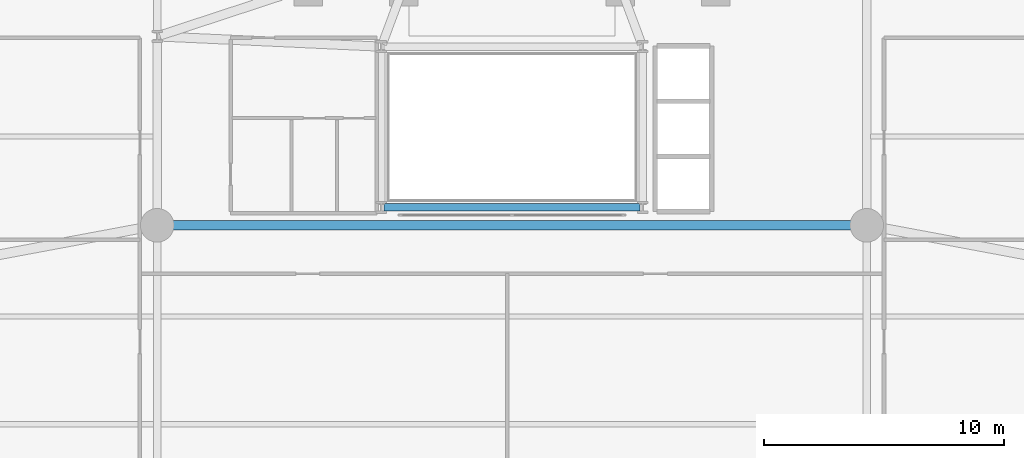
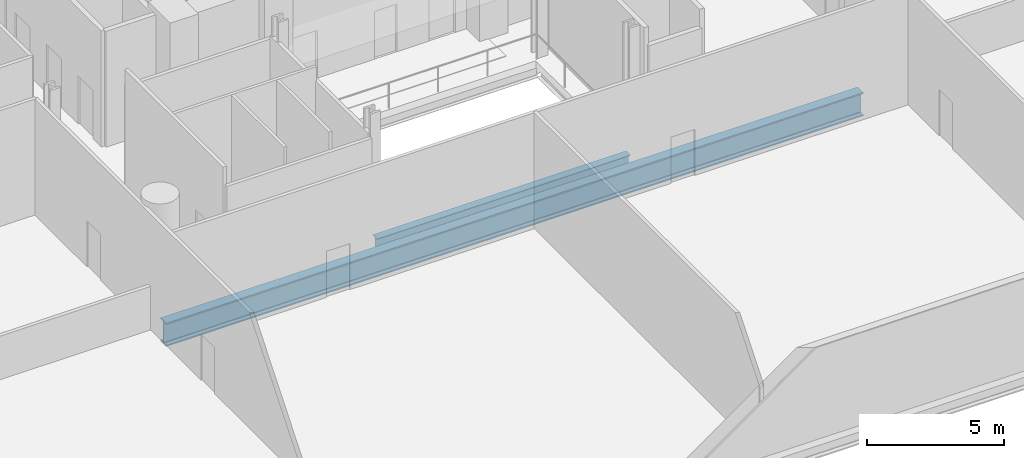
# One storey, part 11 of 31: 2 beams.
"""IFC4 building model written with IfcOpenShell, lengths in metres."""

from ifc_helpers import new_model, si_unit, direction, frame, origin, origin_2d, place, context, subcontext, project, spatial, i_section, extrude, material, material_profile, profile_set, type_object, element, save


model = new_model("IFC4")

# Units and contexts
model_context = context("Model", 3, precision=1e-05, world=origin(), true_north=direction((0.0, 1.0)))
body_context = subcontext(model_context, "Body", "Model", "MODEL_VIEW")
ifc_project = project(units=[si_unit("LENGTHUNIT", "METRE"), si_unit("AREAUNIT", "SQUARE_METRE"), si_unit("VOLUMEUNIT", "CUBIC_METRE"), si_unit("PLANEANGLEUNIT", "RADIAN"), si_unit("MASSUNIT", "GRAM", prefix="KILO")], contexts=[model_context])

# Site, building, storey
site_placement = place(None, origin())
site = spatial("IfcSite", under=ifc_project, at=site_placement, CompositionType="ELEMENT")
building_placement = place(site_placement, origin())
building = spatial("IfcBuilding", under=site, at=building_placement, Name="Varnelok Gate Tower", CompositionType="ELEMENT")
storey_placement = place(building_placement, frame((0.0, 0.0, 21.60009765625)))
storey = spatial("IfcBuildingStorey", under=building, at=storey_placement, Name="L04", CompositionType="ELEMENT", Elevation=21.60009765625)

# Beams
ifc_material = material(Name="Structural Steel ASTM A992 Grade 50", Category="steel")
ifc_material_profile_1 = material_profile(ifc_material, i_section(OverallWidth=0.323974609375, OverallDepth=0.611083984375, WebThickness=0.0126953125, FlangeThickness=0.01904296875, FilletRadius=0.01806640625, at=origin_2d()), Name="W24X104")
ifc_profile_set_1 = profile_set([ifc_material_profile_1], Name="Structural Steel ASTM A992 Grade 50")
beam_type_1 = type_object("IfcBeamType", Name="BM-SPN-W24X104", PredefinedType="SPANDREL", material=ifc_profile_set_1)
beam_1_placement = place(storey_placement, frame((33.8701171875, 19.550048828125, -0.62548828125), z_axis=(1.0, 0.0, 0.0), x_axis=(0.0, 1.0, 0.0)))
element("IfcBeam", 1, at=beam_1_placement, inside=storey, type_object=beam_type_1, Name="L04 Core-Atrium Spine Beam 8", PredefinedType="SPANDREL", context=body_context, shape_type="SweptSolid", body=[
    extrude(i_section(OverallWidth=0.323974609375, OverallDepth=0.611083984375, WebThickness=0.0126953125, FlangeThickness=0.01904296875, FilletRadius=0.01806640625, at=origin_2d()), origin(), (0.0, 0.0, 1.0), 10.659912109375),
])
ifc_material_profile_2 = material_profile(ifc_material, i_section(OverallWidth=0.409912109375, OverallDepth=1.0400390625, WebThickness=0.031005859375, FlangeThickness=0.055908203125, FilletRadius=0.030029296875, at=origin_2d()), Name="W40X397")
ifc_profile_set_2 = profile_set([ifc_material_profile_2], Name="Structural Steel ASTM A992 Grade 50")
beam_type_2 = type_object("IfcBeamType", Name="BM-TIE-W40X397", PredefinedType="BEAM", material=ifc_profile_set_2)
beam_2_placement = place(storey_placement, frame((24.5400390625, 18.800048828125, -0.840087890625), z_axis=(1.0, 0.0, 0.0), x_axis=(0.0, 1.0, 0.0)))
element("IfcBeam", 2, at=beam_2_placement, inside=storey, type_object=beam_type_2, Name="L04 Podium Primary Girder 25", PredefinedType="BEAM", context=body_context, shape_type="SweptSolid", body=[
    extrude(i_section(OverallWidth=0.409912109375, OverallDepth=1.0400390625, WebThickness=0.031005859375, FlangeThickness=0.055908203125, FilletRadius=0.030029296875, at=origin_2d()), origin(), (0.0, 0.0, 1.0), 29.320068359375),
])

save(model, "model.ifc")
